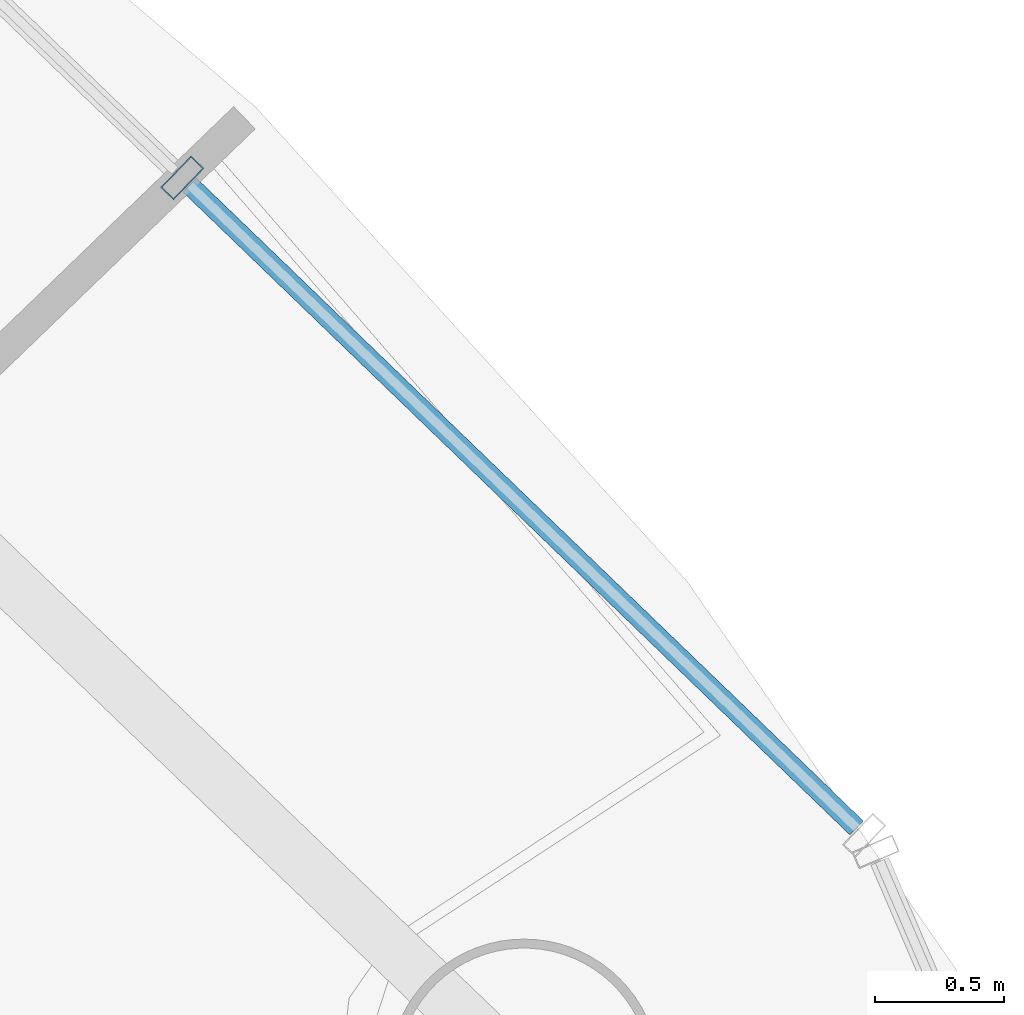
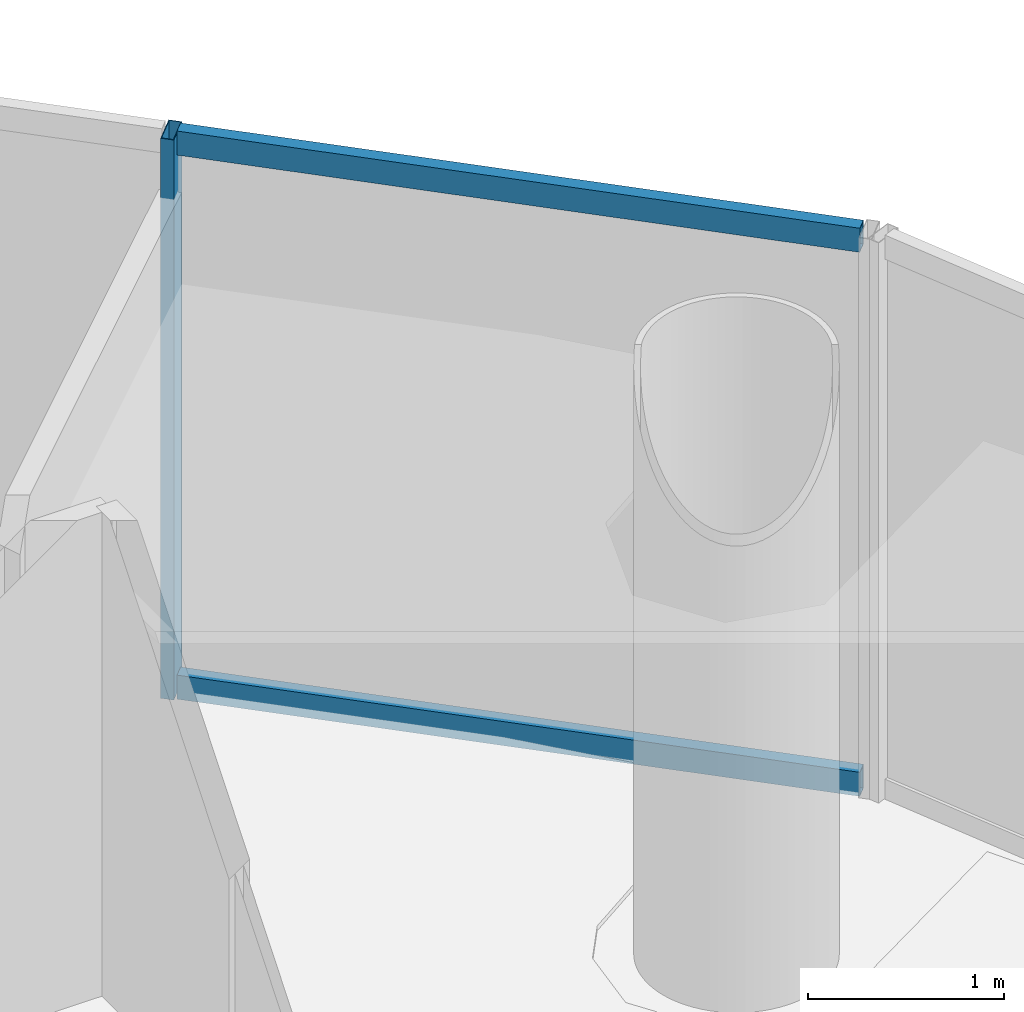
# One storey, part 12 of 23: 3 members, 1 element without a shape of its own.
"""IFC4 building model written with IfcOpenShell, lengths in metres."""

from ifc_helpers import new_model, si_unit, direction, frame, origin, origin_2d, place, context, subcontext, project, spatial, hollow_rectangle, extrude, source, transform, mapped, material, material_profile, profile_set, type_object, element, aggregate, save


model = new_model("IFC4")

# Units and contexts
model_context = context("Model", 3, precision=1e-05, world=origin(), true_north=direction((-0.2419218956, 0.970295726276)))
body_context = subcontext(model_context, "Body", "Model", "MODEL_VIEW")
ifc_project = project(units=[si_unit("LENGTHUNIT", "METRE"), si_unit("AREAUNIT", "SQUARE_METRE"), si_unit("VOLUMEUNIT", "CUBIC_METRE"), si_unit("PLANEANGLEUNIT", "RADIAN"), si_unit("MASSUNIT", "GRAM", prefix="KILO")], contexts=[model_context])

# Site, building, storey
site_placement = place(None, origin())
site = spatial("IfcSite", under=ifc_project, at=site_placement, CompositionType="ELEMENT")
building_placement = place(site_placement, origin())
building = spatial("IfcBuilding", under=site, at=building_placement, Name="Cobrevalo Terracotta Tower", CompositionType="ELEMENT")
storey_placement = place(building_placement, frame((0.0, 0.0, 263.199951171875)))
storey = spatial("IfcBuildingStorey", under=building, at=storey_placement, Name="L69", CompositionType="ELEMENT", Elevation=263.199951171875)

# Curtain wall, members
ifc_material = material(Name="Anodized aluminium", Category="aluminium")
curtain_wall_type = type_object("IfcCurtainWallType", Name="Upper-tower triple-glazed penthouse curtain wall CW-U3", PredefinedType="NOTDEFINED", material=ifc_material)
curtain_wall_placement = place(storey_placement, origin())
curtain_wall = element("IfcCurtainWall", 1, at=curtain_wall_placement, inside=storey, type_object=curtain_wall_type, Name="L69 curtain wall CW-L69-S02", PredefinedType="NOTDEFINED")
ifc_material_profile_1 = material_profile(ifc_material, hollow_rectangle(XDim=0.070068359375, YDim=0.169921875, WallThickness=0.00439453125, at=origin_2d()), Name="CWM 70x170")
ifc_profile_set_1 = profile_set([ifc_material_profile_1], Name="Anodized aluminium")
member_type_1 = type_object("IfcMemberType", Name="Upper tower unitised mullion 70x170", PredefinedType="MULLION", material=ifc_profile_set_1)
shared_shape_1 = source(origin(), body_context, "Body", "SweptSolid", [
    extrude(hollow_rectangle(XDim=0.070068359375, YDim=0.169921875, WallThickness=0.00439453125, at=origin_2d()), origin(), (0.0, 0.0, 1.0), 3.489990234375),
])
member_1_placement = place(storey_placement, frame((51.43359375, 39.748046875, 0.0), z_axis=(0.0, 0.0, 1.0), x_axis=(-0.71999418085, 0.69398010025, 0.0)))
member_1 = element("IfcMember", 2, at=member_1_placement, type_object=member_type_1, Name="CW-L69-S02 vertical mullion 02", PredefinedType="MULLION", context=body_context, shape_type="MappedRepresentation", body=[
    mapped(shared_shape_1, transform((0.0, 0.0, 0.0), scale=1.0)),
])
ifc_material_profile_2 = material_profile(ifc_material, hollow_rectangle(XDim=0.074951171875, YDim=0.14990234375, WallThickness=0.00439453125, at=origin_2d()), Name="CWT 75x150")
ifc_profile_set_2 = profile_set([ifc_material_profile_2], Name="Anodized aluminium")
member_type_2 = type_object("IfcMemberType", Name="Tower unitised aluminium transom 75x150", PredefinedType="USERDEFINED", material=ifc_profile_set_2)
shared_shape_2 = source(origin(), body_context, "Body", "SweptSolid", [
    extrude(hollow_rectangle(XDim=0.074951171875, YDim=0.14990234375, WallThickness=0.00439453125, at=origin_2d()), origin(), (0.0, 0.0, 1.0), 3.59130859375),
])
member_2_placement = place(storey_placement, frame((54.0478515625, 37.22802734375, 0.050048828125), z_axis=(-0.720005628362, 0.693968223427, 0.0), x_axis=(-0.693968223427, -0.720005628362, 0.0)))
member_2 = element("IfcMember", 3, at=member_2_placement, type_object=member_type_2, Name="CW-L69-S02 transom B01-T1", ObjectType="TRANSOM", PredefinedType="USERDEFINED", context=body_context, shape_type="MappedRepresentation", body=[
    mapped(shared_shape_2, transform((0.0, 0.0, 0.0), scale=1.0)),
])
member_3_placement = place(storey_placement, frame((54.0478515625, 37.22802734375, 3.43994140625), z_axis=(-0.720005628362, 0.693968223427, 0.0), x_axis=(-0.693968223427, -0.720005628362, 0.0)))
member_3 = element("IfcMember", 4, at=member_3_placement, type_object=member_type_2, Name="CW-L69-S02 transom B01-T2", ObjectType="TRANSOM", PredefinedType="USERDEFINED", context=body_context, shape_type="MappedRepresentation", body=[
    mapped(shared_shape_2, transform((0.0, 0.0, 0.0), scale=1.0)),
])
aggregate(curtain_wall, [member_1, member_2, member_3])

save(model, "model.ifc")
